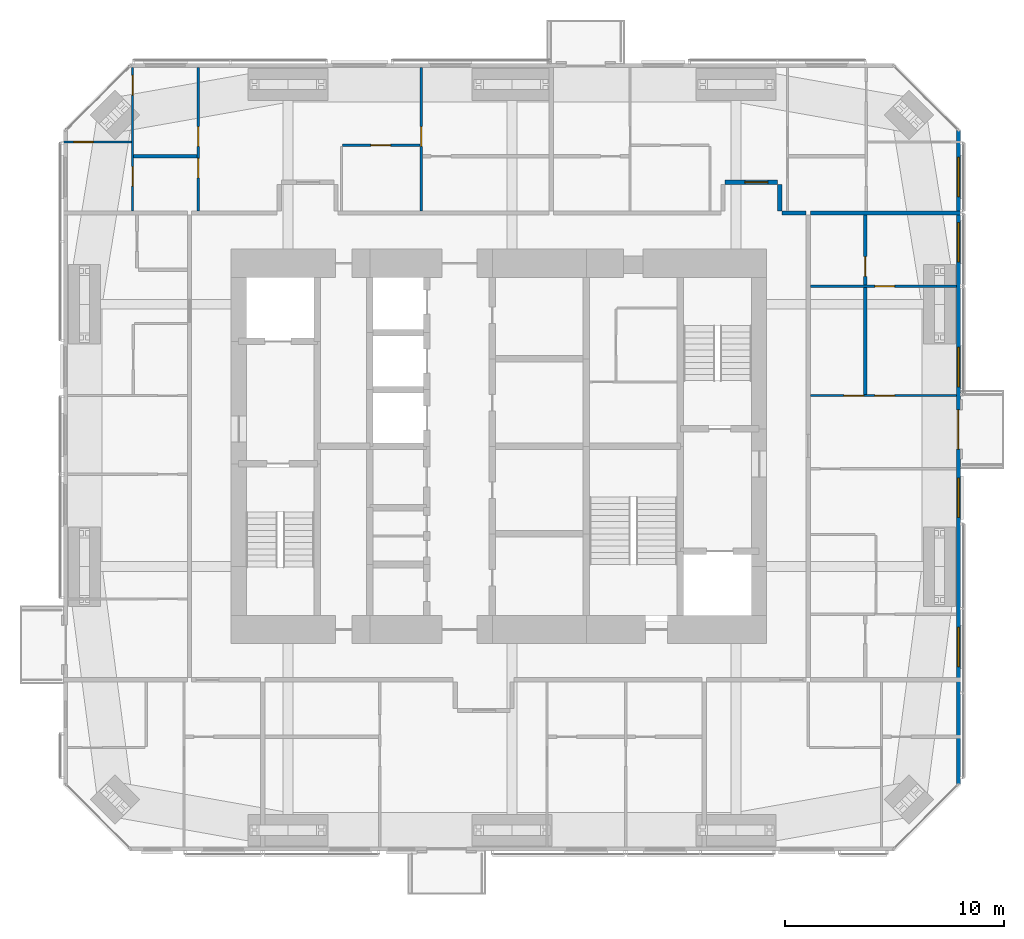
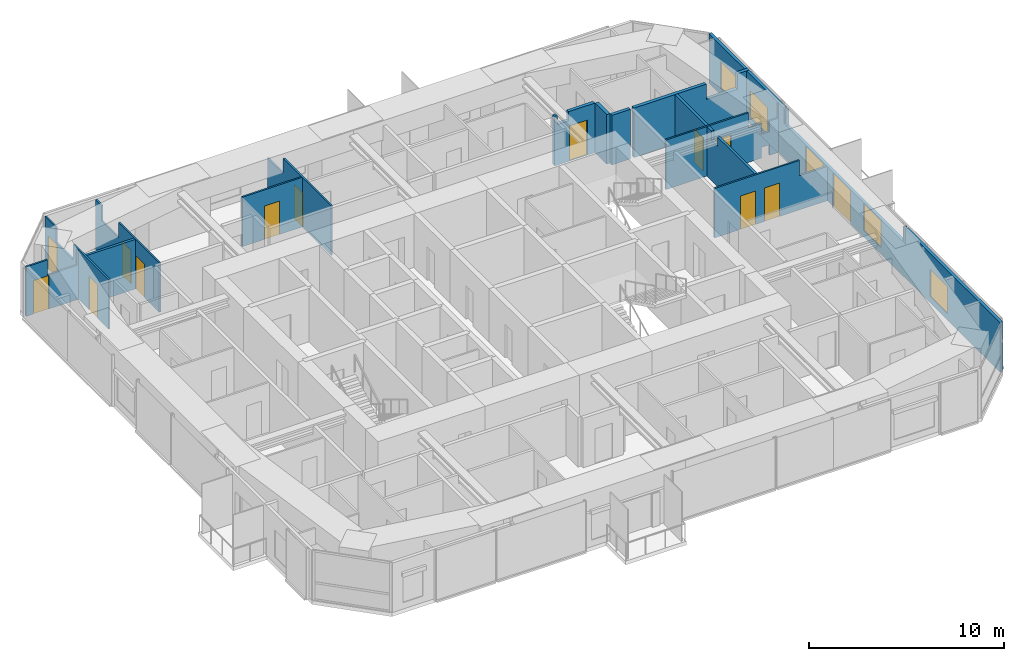
# One storey, part 20 of 23: 15 walls, 13 doors, 5 windows, 18 openings.
"""IFC4 building model written with IfcOpenShell, lengths in metres."""

import ifcopenshell
import ifcopenshell.guid

model = None  # the IFC model being written
_history = None  # IfcOwnerHistory: only IFC2X3 demands one
_inside = {}  # id of a spatial element -> (the spatial element, [elements in it])
_under = {}  # id of a project, library or spatial element -> (it, [spatial elements below it])
_declared = {}  # id of a project -> (the project, [libraries it declares])
_typed = {}  # id of a type object -> (the type object, [elements of that type])
_made_of = {}  # id of a material, layer set ... -> (it, [elements and type objects made of it])


def new_model(schema):
    """Start an empty IFC model of exactly this schema.

    Asked for "IFC4X3", IfcOpenShell would pick the latest addendum, in which some entities
    have other attributes; the version numbers below select the first issue.
    IFC2X3 requires an IfcOwnerHistory on every rooted entity: one is made here for all.
    """
    global model, _history
    if schema == "IFC4X3":
        model = ifcopenshell.file(schema_version=(4, 3, 0, 0))
    else:
        model = ifcopenshell.file(schema=schema)
    _inside.clear()
    _under.clear()
    _declared.clear()
    _typed.clear()
    _made_of.clear()
    _history = None
    if model.schema == "IFC2X3":
        org = make("IfcOrganization", Name="unknown")
        user = make(
            "IfcPersonAndOrganization",
            ThePerson=make("IfcPerson", FamilyName="unknown"),
            TheOrganization=org,
        )
        app = make(
            "IfcApplication",
            ApplicationDeveloper=org,
            Version="unknown",
            ApplicationFullName="unknown",
            ApplicationIdentifier="unknown",
        )
        _history = make(
            "IfcOwnerHistory",
            OwningUser=user,
            OwningApplication=app,
            ChangeAction="ADDED",
            CreationDate=0,
        )
    return model


def make(cls, **values):
    """One entity of the class cls with the attributes given. An attribute that is None is left unset."""
    return model.create_entity(
        cls, **{name: value for name, value in values.items() if value is not None}
    )


def rooted(cls, **values):
    """An entity with a GlobalId (a new one), such as an element, a storey or a relation."""
    return make(cls, GlobalId=ifcopenshell.guid.new(), OwnerHistory=_history, **values)


def si_unit(unit_type, name, prefix=None):
    """IfcSIUnit, for example si_unit("LENGTHUNIT", "METRE", prefix="MILLI")."""
    return make("IfcSIUnit", UnitType=unit_type, Prefix=prefix, Name=name)


def assignment(units):
    """IfcUnitAssignment: the units of a project."""
    return None if units is None else make("IfcUnitAssignment", Units=units)


def point(xyz):
    """IfcCartesianPoint."""
    return None if xyz is None else make("IfcCartesianPoint", Coordinates=xyz)


def direction(xyz):
    """IfcDirection."""
    return None if xyz is None else make("IfcDirection", DirectionRatios=xyz)


def frame(location, z_axis=None, x_axis=None):
    """IfcAxis2Placement3D, a coordinate frame: its origin and axes. An axis left out is left unset."""
    return make(
        "IfcAxis2Placement3D",
        Location=point(location),
        Axis=direction(z_axis),
        RefDirection=direction(x_axis),
    )


def frame_2d(location, x_axis=None):
    """IfcAxis2Placement2D, a coordinate frame in the plane: its origin and x axis."""
    return make(
        "IfcAxis2Placement2D", Location=point(location), RefDirection=direction(x_axis)
    )


def origin():
    """The frame at (0, 0, 0) with its axes left unset."""
    return frame((0.0, 0.0, 0.0))


def place(relative_to, where):
    """IfcLocalPlacement: puts the frame where relative to a parent placement (None: the world)."""
    return make(
        "IfcLocalPlacement", PlacementRelTo=relative_to, RelativePlacement=where
    )


def context(
    kind, dimensions, precision=None, world=None, true_north=None, identifier=None
):
    """IfcGeometricRepresentationContext, for example the 3D "Model" context."""
    return make(
        "IfcGeometricRepresentationContext",
        ContextIdentifier=identifier,
        ContextType=kind,
        CoordinateSpaceDimension=dimensions,
        Precision=precision,
        WorldCoordinateSystem=world,
        TrueNorth=true_north,
    )


def subcontext(parent, identifier, kind, view, scale=None):
    """IfcGeometricRepresentationSubContext, for example "Body" below "Model"."""
    return make(
        "IfcGeometricRepresentationSubContext",
        ContextIdentifier=identifier,
        ContextType=kind,
        ParentContext=parent,
        TargetScale=scale,
        TargetView=view,
    )


def project(units=None, contexts=None):
    """IfcProject with its units and contexts."""
    return rooted(
        "IfcProject",
        Name="project",
        RepresentationContexts=contexts,
        UnitsInContext=assignment(units),
    )


def spatial(cls, under=None, at=None, **own):
    """A site, building, storey or space (cls), placed at a placement, below another one or the project."""
    s = rooted(cls, ObjectPlacement=at, **own)
    if under is not None:
        _under.setdefault(under.id(), (under, []))[1].append(s)
    return s


def polyline(points):
    """IfcPolyline through the points."""
    return make("IfcPolyline", Points=[point(p) for p in points])


def profile(cls, at=None, kind="AREA", **sizes):
    """A parametric profile (cls). Its sizes go by their IFC names, for example OverallWidth=200.0."""
    return make(cls, ProfileType=kind, Position=at, **sizes)


def rectangle(**sizes):
    """IfcRectangleProfileDef."""
    return profile("IfcRectangleProfileDef", **sizes)


def outline(outer, holes=None, kind="AREA"):
    """IfcArbitraryClosedProfileDef: a profile drawn as a closed curve; with holes, ...WithVoids."""
    if holes is None:
        return make("IfcArbitraryClosedProfileDef", ProfileType=kind, OuterCurve=outer)
    return make(
        "IfcArbitraryProfileDefWithVoids",
        ProfileType=kind,
        OuterCurve=outer,
        InnerCurves=holes,
    )


def extrude(swept, where, along, depth):
    """IfcExtrudedAreaSolid: the profile swept, set in the frame where, extruded along a direction by depth."""
    return make(
        "IfcExtrudedAreaSolid",
        SweptArea=swept,
        Position=where,
        ExtrudedDirection=direction(along),
        Depth=depth,
    )


def shape(context_of_items, identifier, shape_type, items):
    """IfcShapeRepresentation: the items that make up one representation, for example the "Body"."""
    return make(
        "IfcShapeRepresentation",
        ContextOfItems=context_of_items,
        RepresentationIdentifier=identifier,
        RepresentationType=shape_type,
        Items=items,
    )


def material(Name=None, Category=None):
    """IfcMaterial."""
    return make("IfcMaterial", Name=Name, Category=Category)


def constituent(of_material, Name=None, Category=None, fraction=None):
    """IfcMaterialConstituent: one of the materials an element consists of."""
    return make(
        "IfcMaterialConstituent",
        Name=Name,
        Material=of_material,
        Fraction=fraction,
        Category=Category,
    )


def constituent_set(constituents=None, Name=None):
    """IfcMaterialConstituentSet."""
    return make(
        "IfcMaterialConstituentSet", Name=Name, MaterialConstituents=constituents
    )


def made_of(thing, what):
    """Note that an element or type object is made of a material, layer set ...; save() writes the relation."""
    if what is not None:
        _made_of.setdefault(what.id(), (what, []))[1].append(thing)
    return thing


def type_object(cls, material=None, **own):
    """A type object (cls), such as IfcWallType, which elements share."""
    return made_of(rooted(cls, **own), material)


def element(
    cls,
    number,
    at=None,
    inside=None,
    cuts=None,
    type_object=None,
    material=None,
    context=None,
    identifier="Body",
    shape_type=None,
    held_by="IfcProductDefinitionShape",
    body=None,
    shapes=None,
    **own,
):
    """One element of the class cls, such as IfcWall. Its Tag is "e" and its number.

    at: its placement. inside: the storey or other place that contains it. cuts: it is an
    opening in that element (IfcRelVoidsElement). A single representation is given by context,
    identifier, shape_type and body (its items); several are given by shapes. held_by: the class
    of the entity that holds the representations. save() writes the other relations.
    """
    e = rooted(cls, Tag="e%d" % number, ObjectPlacement=at, **own)
    if body is not None:
        shapes = [shape(context, identifier, shape_type, body)]
    if shapes is not None:
        e.Representation = make(held_by, Representations=shapes)
    if inside is not None:
        _inside.setdefault(inside.id(), (inside, []))[1].append(e)
    if cuts is not None:
        rooted(
            "IfcRelVoidsElement", RelatingBuildingElement=cuts, RelatedOpeningElement=e
        )
    if type_object is not None:
        _typed.setdefault(type_object.id(), (type_object, []))[1].append(e)
    return made_of(e, material)


def fill(opening, filler):
    """IfcRelFillsElement: the door or window that sits in an opening."""
    return rooted(
        "IfcRelFillsElement",
        RelatingOpeningElement=opening,
        RelatedBuildingElement=filler,
    )


def aggregate(whole, parts):
    """IfcRelAggregates: a whole, such as a stair, and the parts it consists of."""
    return rooted("IfcRelAggregates", RelatingObject=whole, RelatedObjects=parts)


def save(model, path):
    """Write the relations noted so far, then the file.

    IfcRelAggregates (storeys below a building ...), IfcRelContainedInSpatialStructure (elements
    in a storey), IfcRelDefinesByType, IfcRelAssociatesMaterial and IfcRelDeclares: one each for
    every whole, place, type object, material and project.
    """
    for whole, parts in _under.values():
        aggregate(whole, parts)
    for where, things in _inside.values():
        rooted(
            "IfcRelContainedInSpatialStructure",
            RelatedElements=things,
            RelatingStructure=where,
        )
    for kind, things in _typed.values():
        rooted("IfcRelDefinesByType", RelatedObjects=things, RelatingType=kind)
    for what, things in _made_of.values():
        rooted("IfcRelAssociatesMaterial", RelatedObjects=things, RelatingMaterial=what)
    for by, libraries in _declared.values():
        rooted("IfcRelDeclares", RelatingContext=by, RelatedDefinitions=libraries)
    model.write(path)


model = new_model("IFC4")

# Units and contexts
model_context = context("Model", 3, precision=1e-05, world=origin(), true_north=direction((0.0, 1.0)))
body_context = subcontext(model_context, "Body", "Model", "MODEL_VIEW")
ifc_project = project(units=[si_unit("LENGTHUNIT", "METRE"), si_unit("AREAUNIT", "SQUARE_METRE"), si_unit("VOLUMEUNIT", "CUBIC_METRE"), si_unit("PLANEANGLEUNIT", "RADIAN"), si_unit("MASSUNIT", "GRAM", prefix="KILO")], contexts=[model_context])

# Site, building, storey
site_placement = place(None, origin())
site = spatial("IfcSite", under=ifc_project, at=site_placement, CompositionType="ELEMENT")
building_placement = place(site_placement, origin())
building = spatial("IfcBuilding", under=site, at=building_placement, Name="Jalousie Tower", CompositionType="ELEMENT")
storey_placement = place(building_placement, frame((0.0, 0.0, 197.89990234375)))
storey = spatial("IfcBuildingStorey", under=building, at=storey_placement, Name="L54", CompositionType="ELEMENT", Elevation=197.89990234375)

# Walls
ifc_material_1 = material(Name="Concrete block ASTM C90", Category="concrete")
ifc_constituent_1 = constituent(ifc_material_1, Name="Body")
ifc_material_2 = material(Name="Render")
ifc_constituent_2 = constituent(ifc_material_2, Name="Finish")
ifc_constituent_set_1 = constituent_set(constituents=[ifc_constituent_1, ifc_constituent_2])
wall_type_1 = type_object("IfcWallType", Name="BATHROOM WALL 150", PredefinedType="PLUMBINGWALL", material=ifc_constituent_set_1)
wall_1_placement = place(storey_placement, frame((15.199951171875, 31.77490234375, 0.0), z_axis=(0.0, 0.0, 1.0), x_axis=(1.0, 0.0, 0.0)))
element("IfcWall", 1, at=wall_1_placement, inside=storey, type_object=wall_type_1, Name="Bathroom Wall 150 L54", PredefinedType="PLUMBINGWALL", context=body_context, shape_type="SweptSolid", body=[
    extrude(rectangle(XDim=2.900146484375, YDim=0.14990234375, at=frame_2d((1.4501953125, 0.0))), origin(), (0.0, 0.0, 1.0), 3.110107421875),
])
wall_2_placement = place(storey_placement, frame((48.64990234375, 20.875, 0.0), z_axis=(0.0, 0.0, 1.0), x_axis=(0.0, 1.0, 0.0)))
element("IfcWall", 2, at=wall_2_placement, inside=storey, type_object=wall_type_1, Name="Bathroom Wall 150 L54", PredefinedType="PLUMBINGWALL", context=body_context, shape_type="SweptSolid", body=[
    extrude(outline(polyline([(0.0, 0.0), (4.89990234375, 0.0), (4.89990234375, 3.110107421875), (4.4375, 3.110107421875), (4.4375, 2.541015625), (3.8125, 2.541015625), (3.8125, 3.110107421875), (0.0, 3.110107421875), (0.0, 0.0)])), frame((0.0, 0.074951171875, 0.0), z_axis=(0.0, -1.0, 0.0), x_axis=(1.0, 0.0, 0.0)), (0.0, 0.0, 1.0), 0.14990234375),
])

# Wall, opening, door
wall_3_placement = place(storey_placement, frame((48.64990234375, 25.875, 0.0), z_axis=(0.0, 0.0, 1.0), x_axis=(0.0, 1.0, 0.0)))
wall_3 = element("IfcWall", 3, at=wall_3_placement, inside=storey, type_object=wall_type_1, Name="Bathroom Wall 150 L54", PredefinedType="PLUMBINGWALL", context=body_context, shape_type="SweptSolid", body=[
    extrude(rectangle(XDim=3.199951171875, YDim=0.14990234375, at=frame_2d((1.60009765625, 0.0))), origin(), (0.0, 0.0, 1.0), 3.110107421875),
])
opening_1_placement = place(wall_3_placement, frame((0.39990234375, 0.0, 0.0)))
opening_1 = element("IfcOpeningElement", 4, at=opening_1_placement, cuts=wall_3, Name="Opening D3", PredefinedType="OPENING", context=body_context, shape_type="SweptSolid", body=[
    extrude(rectangle(XDim=0.89990234375, YDim=2.10009765625, at=frame_2d((0.449951171875, 1.050048828125))), frame((0.0, 0.0849609375, 0.0), z_axis=(0.0, -1.0, 0.0), x_axis=(1.0, 0.0, 0.0)), (0.0, 0.0, 1.0), 0.169921875),
])
ifc_material_3 = material(Name="Timber door", Category="wood")
door_type_1 = type_object("IfcDoorType", Name="BATHROOM DOOR 900", OperationType="SINGLE_SWING_LEFT", PredefinedType="DOOR", material=ifc_material_3)
door_1_placement = place(opening_1_placement, origin())
door_1 = element("IfcDoor", 5, at=door_1_placement, inside=storey, type_object=door_type_1, Name="Apartment 5407 bedroom 3 bathroom door", OperationType="SINGLE_SWING_LEFT", OverallHeight=2.10009765625, OverallWidth=0.89990234375, PredefinedType="DOOR", context=body_context, shape_type="SweptSolid", body=[
    extrude(rectangle(XDim=0.89990234375, YDim=2.10009765625, at=frame_2d((0.449951171875, 1.050048828125))), frame((0.0, 0.02490234375, 0.0), z_axis=(0.0, -1.0, 0.0), x_axis=(1.0, 0.0, 0.0)), (0.0, 0.0, 1.0), 0.050048828125),
])
fill(opening_1, door_1)

# Wall
ifc_material_4 = material(Name="Concrete block ASTM C90", Category="concrete")
ifc_constituent_3 = constituent(ifc_material_4, Name="Body")
ifc_material_5 = material(Name="Render")
ifc_constituent_4 = constituent(ifc_material_5, Name="Finish")
ifc_constituent_set_2 = constituent_set(constituents=[ifc_constituent_3, ifc_constituent_4])
wall_type_2 = type_object("IfcWallType", Name="CORRIDOR WALL 200", PredefinedType="PARTITIONING", material=ifc_constituent_set_2)
wall_4_placement = place(storey_placement, frame((44.85009765625, 29.175048828125, 0.0), z_axis=(0.0, 0.0, 1.0), x_axis=(1.0, 0.0, 0.0)))
element("IfcWall", 6, at=wall_4_placement, inside=storey, type_object=wall_type_2, Name="Corridor Wall 200 L54", PredefinedType="PARTITIONING", context=body_context, shape_type="SweptSolid", body=[
    extrude(rectangle(XDim=1.099853515625, YDim=0.199951171875, at=frame_2d((0.5498046875, 0.0))), origin(), (0.0, 0.0, 1.0), 3.110107421875),
])

# Wall, opening, door
wall_5_placement = place(storey_placement, frame((42.25, 30.574951171875, 0.0), z_axis=(0.0, 0.0, 1.0), x_axis=(1.0, 0.0, 0.0)))
wall_5 = element("IfcWall", 7, at=wall_5_placement, inside=storey, type_object=wall_type_2, Name="Corridor Wall 200 L54", PredefinedType="PARTITIONING", context=body_context, shape_type="SweptSolid", body=[
    extrude(outline(polyline([(0.0, 0.0), (2.39990234375, 0.0), (2.39990234375, 3.110107421875), (0.83740234375, 3.110107421875), (0.83740234375, 2.541015625), (0.16259765625, 2.541015625), (0.16259765625, 3.110107421875), (0.0, 3.110107421875), (0.0, 0.0)])), frame((0.0, 0.10009765625, 0.0), z_axis=(0.0, -1.0, 0.0), x_axis=(1.0, 0.0, 0.0)), (0.0, 0.0, 1.0), 0.199951171875),
])
opening_2_placement = place(wall_5_placement, frame((0.89990234375, 0.0, 0.0)))
opening_2 = element("IfcOpeningElement", 8, at=opening_2_placement, cuts=wall_5, Name="Opening D1", PredefinedType="OPENING", context=body_context, shape_type="SweptSolid", body=[
    extrude(rectangle(XDim=1.050048828125, YDim=2.199951171875, at=frame_2d((0.52490234375, 1.10009765625))), frame((0.0, 0.10986328125, 0.0), z_axis=(0.0, -1.0, 0.0), x_axis=(1.0, 0.0, 0.0)), (0.0, 0.0, 1.0), 0.219970703125),
])
ifc_material_6 = material(Name="Timber fire door", Category="wood")
door_type_2 = type_object("IfcDoorType", Name="APARTMENT ENTRANCE DOOR 1050", OperationType="SINGLE_SWING_LEFT", PredefinedType="DOOR", material=ifc_material_6)
door_2_placement = place(opening_2_placement, origin())
door_2 = element("IfcDoor", 9, at=door_2_placement, inside=storey, type_object=door_type_2, Name="Apartment 5405 entrance", OperationType="SINGLE_SWING_RIGHT", OverallHeight=2.199951171875, OverallWidth=1.050048828125, PredefinedType="DOOR", context=body_context, shape_type="SweptSolid", body=[
    extrude(rectangle(XDim=1.050048828125, YDim=2.199951171875, at=frame_2d((0.52490234375, 1.10009765625))), frame((0.0, 0.02490234375, 0.0), z_axis=(0.0, -1.0, 0.0), x_axis=(1.0, 0.0, 0.0)), (0.0, 0.0, 1.0), 0.050048828125),
])
fill(opening_2, door_2)

# Wall
wall_6_placement = place(storey_placement, frame((44.75, 29.27490234375, 0.0), z_axis=(0.0, 0.0, 1.0), x_axis=(0.0, 1.0, 0.0)))
element("IfcWall", 10, at=wall_6_placement, inside=storey, type_object=wall_type_2, Name="Corridor Wall 200 L54", PredefinedType="PARTITIONING", context=body_context, shape_type="SweptSolid", body=[
    extrude(rectangle(XDim=1.2001953125, YDim=0.199951171875, at=frame_2d((0.60009765625, 0.0))), origin(), (0.0, 0.0, 1.0), 3.110107421875),
])

# Wall, openings, door, windows
ifc_material_7 = material(Name="Concrete f'c 40 MPa", Category="concrete")
ifc_constituent_5 = constituent(ifc_material_7, Name="Body")
ifc_material_8 = material(Name="Render, pastel lemon")
ifc_constituent_6 = constituent(ifc_material_8, Name="Finish")
ifc_constituent_set_3 = constituent_set(constituents=[ifc_constituent_5, ifc_constituent_6])
wall_type_3 = type_object("IfcWallType", Name="EXTERNAL WALL 175 LEMON RENDER", PredefinedType="SOLIDWALL", material=ifc_constituent_set_3)
wall_7_placement = place(storey_placement, frame((52.91259765625, 3.05126953125, 0.0), z_axis=(0.0, 0.0, 1.0), x_axis=(0.0, 1.0, 0.0)))
wall_7 = element("IfcWall", 11, at=wall_7_placement, inside=storey, type_object=wall_type_3, Name="External Wall 175 Lemon Render L54", PredefinedType="SOLIDWALL", context=body_context, shape_type="SweptSolid", body=[
    extrude(outline(polyline([(0.0, 0.0), (29.8974609375, 0.0), (29.8974609375, 3.110107421875), (22.16748046875, 3.110107421875), (22.16748046875, 2.150146484375), (22.073974609375, 2.150146484375), (22.073974609375, 3.110107421875), (21.94873046875, 3.110107421875), (21.94873046875, 2.150146484375), (9.94873046875, 2.150146484375), (9.94873046875, 3.110107421875), (9.846923828125, 3.110107421875), (9.846923828125, 2.150146484375), (9.7060546875, 2.150146484375), (9.7060546875, 3.110107421875), (0.0, 3.110107421875), (0.0, 0.0)])), frame((0.0, 0.08740234375, 0.0), z_axis=(0.0, -1.0, 0.0), x_axis=(1.0, 0.0, 0.0)), (0.0, 0.0, 1.0), 0.175048828125),
])
opening_3_placement = place(wall_7_placement, frame((5.373779296875, 0.0, 0.39990234375)))
opening_3 = element("IfcOpeningElement", 12, at=opening_3_placement, cuts=wall_7, Name="Opening W-BED170", PredefinedType="OPENING", context=body_context, shape_type="SweptSolid", body=[
    extrude(rectangle(XDim=1.800048828125, YDim=1.699951171875, at=frame_2d((0.89990234375, 0.85009765625))), frame((0.0, 0.097412109375, 0.0), z_axis=(0.0, -1.0, 0.0), x_axis=(1.0, 0.0, 0.0)), (0.0, 0.0, 1.0), 0.195068359375),
])
opening_4_placement = place(wall_7_placement, frame((12.19873046875, 0.0, 0.39990234375)))
opening_4 = element("IfcOpeningElement", 13, at=opening_4_placement, cuts=wall_7, Name="Opening W-BED170", PredefinedType="OPENING", context=body_context, shape_type="SweptSolid", body=[
    extrude(rectangle(XDim=1.800048828125, YDim=1.699951171875, at=frame_2d((0.89990234375, 0.85009765625))), frame((0.0, 0.097412109375, 0.0), z_axis=(0.0, -1.0, 0.0), x_axis=(1.0, 0.0, 0.0)), (0.0, 0.0, 1.0), 0.195068359375),
])
opening_5_placement = place(wall_7_placement, frame((15.32373046875, 0.0, 0.0)))
opening_5 = element("IfcOpeningElement", 14, at=opening_5_placement, cuts=wall_7, Name="Opening D-BAL21", PredefinedType="OPENING", context=body_context, shape_type="SweptSolid", body=[
    extrude(rectangle(XDim=1.800048828125, YDim=2.10009765625, at=frame_2d((0.89990234375, 1.050048828125))), frame((0.0, 0.097412109375, 0.0), z_axis=(0.0, -1.0, 0.0), x_axis=(1.0, 0.0, 0.0)), (0.0, 0.0, 1.0), 0.195068359375),
])
opening_6_placement = place(wall_7_placement, frame((18.173583984375, 0.0, 0.39990234375)))
opening_6 = element("IfcOpeningElement", 15, at=opening_6_placement, cuts=wall_7, Name="Opening W-BED170", PredefinedType="OPENING", context=body_context, shape_type="SweptSolid", body=[
    extrude(rectangle(XDim=1.800048828125, YDim=1.699951171875, at=frame_2d((0.89990234375, 0.85009765625))), frame((0.0, 0.097412109375, 0.0), z_axis=(0.0, -1.0, 0.0), x_axis=(1.0, 0.0, 0.0)), (0.0, 0.0, 1.0), 0.195068359375),
])
opening_7_placement = place(wall_7_placement, frame((23.88623046875, 0.0, 0.39990234375)))
opening_7 = element("IfcOpeningElement", 16, at=opening_7_placement, cuts=wall_7, Name="Opening W-BED170", PredefinedType="OPENING", context=body_context, shape_type="SweptSolid", body=[
    extrude(rectangle(XDim=1.800048828125, YDim=1.699951171875, at=frame_2d((0.89990234375, 0.85009765625))), frame((0.0, 0.097412109375, 0.0), z_axis=(0.0, -1.0, 0.0), x_axis=(1.0, 0.0, 0.0)), (0.0, 0.0, 1.0), 0.195068359375),
])
opening_8_placement = place(wall_7_placement, frame((26.871337890625, 0.0, 0.39990234375)))
opening_8 = element("IfcOpeningElement", 17, at=opening_8_placement, cuts=wall_7, Name="Opening W-BED170", PredefinedType="OPENING", context=body_context, shape_type="SweptSolid", body=[
    extrude(rectangle(XDim=1.800048828125, YDim=1.699951171875, at=frame_2d((0.89990234375, 0.85009765625))), frame((0.0, 0.097412109375, 0.0), z_axis=(0.0, -1.0, 0.0), x_axis=(1.0, 0.0, 0.0)), (0.0, 0.0, 1.0), 0.195068359375),
])
ifc_material_9 = material(Name="Aluminium frame, impact-rated glazing", Category="aluminium")
door_type_3 = type_object("IfcDoorType", Name="BALCONY DOOR 1800x2100", OperationType="SLIDING_TO_LEFT", PredefinedType="DOOR", material=ifc_material_9)
door_3_placement = place(opening_5_placement, origin())
door_3 = element("IfcDoor", 18, at=door_3_placement, inside=storey, type_object=door_type_3, Name="Apartment 5407 study balcony door", OperationType="SLIDING_TO_LEFT", OverallHeight=2.10009765625, OverallWidth=1.800048828125, PredefinedType="DOOR", context=body_context, shape_type="SweptSolid", body=[
    extrude(rectangle(XDim=1.800048828125, YDim=2.10009765625, at=frame_2d((0.89990234375, 1.050048828125))), frame((0.0, 0.02490234375, 0.0), z_axis=(0.0, -1.0, 0.0), x_axis=(1.0, 0.0, 0.0)), (0.0, 0.0, 1.0), 0.050048828125),
])
fill(opening_5, door_3)
ifc_material_10 = material(Name="Aluminium frame, impact-rated glazing", Category="aluminium")
window_type = type_object("IfcWindowType", Name="WINDOW BED 1800x1700", PartitioningType="SINGLE_PANEL", PredefinedType="WINDOW", material=ifc_material_10)
window_1_placement = place(opening_3_placement, origin())
window_1 = element("IfcWindow", 19, at=window_1_placement, inside=storey, type_object=window_type, Name="Apartment 5407 bedroom 1 window", OverallHeight=1.699951171875, OverallWidth=1.800048828125, PartitioningType="SINGLE_PANEL", PredefinedType="WINDOW", context=body_context, shape_type="SweptSolid", body=[
    extrude(rectangle(XDim=1.800048828125, YDim=1.699951171875, at=frame_2d((0.89990234375, 0.85009765625))), frame((0.0, 0.030029296875, 0.0), z_axis=(0.0, -1.0, 0.0), x_axis=(1.0, 0.0, 0.0)), (0.0, 0.0, 1.0), 0.06005859375),
])
fill(opening_3, window_1)
window_2_placement = place(opening_4_placement, origin())
window_2 = element("IfcWindow", 20, at=window_2_placement, inside=storey, type_object=window_type, Name="Apartment 5407 living and dining room window", OverallHeight=1.699951171875, OverallWidth=1.800048828125, PartitioningType="SINGLE_PANEL", PredefinedType="WINDOW", context=body_context, shape_type="SweptSolid", body=[
    extrude(rectangle(XDim=1.800048828125, YDim=1.699951171875, at=frame_2d((0.89990234375, 0.85009765625))), frame((0.0, 0.030029296875, 0.0), z_axis=(0.0, -1.0, 0.0), x_axis=(1.0, 0.0, 0.0)), (0.0, 0.0, 1.0), 0.06005859375),
])
fill(opening_4, window_2)
window_3_placement = place(opening_6_placement, origin())
window_3 = element("IfcWindow", 21, at=window_3_placement, inside=storey, type_object=window_type, Name="Apartment 5407 bedroom 2 window", OverallHeight=1.699951171875, OverallWidth=1.800048828125, PartitioningType="SINGLE_PANEL", PredefinedType="WINDOW", context=body_context, shape_type="SweptSolid", body=[
    extrude(rectangle(XDim=1.800048828125, YDim=1.699951171875, at=frame_2d((0.89990234375, 0.85009765625))), frame((0.0, 0.030029296875, 0.0), z_axis=(0.0, -1.0, 0.0), x_axis=(1.0, 0.0, 0.0)), (0.0, 0.0, 1.0), 0.06005859375),
])
fill(opening_6, window_3)
window_4_placement = place(opening_7_placement, origin())
window_4 = element("IfcWindow", 22, at=window_4_placement, inside=storey, type_object=window_type, Name="Apartment 5407 bedroom 3 window", OverallHeight=1.699951171875, OverallWidth=1.800048828125, PartitioningType="SINGLE_PANEL", PredefinedType="WINDOW", context=body_context, shape_type="SweptSolid", body=[
    extrude(rectangle(XDim=1.800048828125, YDim=1.699951171875, at=frame_2d((0.89990234375, 0.85009765625))), frame((0.0, 0.030029296875, 0.0), z_axis=(0.0, -1.0, 0.0), x_axis=(1.0, 0.0, 0.0)), (0.0, 0.0, 1.0), 0.06005859375),
])
fill(opening_7, window_4)
window_5_placement = place(opening_8_placement, origin())
window_5 = element("IfcWindow", 23, at=window_5_placement, inside=storey, type_object=window_type, Name="Apartment 5405 bedroom 3 window", OverallHeight=1.699951171875, OverallWidth=1.800048828125, PartitioningType="SINGLE_PANEL", PredefinedType="WINDOW", context=body_context, shape_type="SweptSolid", body=[
    extrude(rectangle(XDim=1.800048828125, YDim=1.699951171875, at=frame_2d((0.89990234375, 0.85009765625))), frame((0.0, 0.030029296875, 0.0), z_axis=(0.0, -1.0, 0.0), x_axis=(1.0, 0.0, 0.0)), (0.0, 0.0, 1.0), 0.06005859375),
])
fill(opening_8, window_5)

# Wall, openings, doors
ifc_material_11 = material(Name="Gypsum board", Category="gypsum")
ifc_constituent_7 = constituent(ifc_material_11, Name="Body")
ifc_material_12 = material(Name="Light-gauge steel studs ASTM A653 SS Grade 33", Category="steel")
ifc_constituent_8 = constituent(ifc_material_12, Name="Framing")
ifc_constituent_set_4 = constituent_set(constituents=[ifc_constituent_7, ifc_constituent_8])
wall_type_4 = type_object("IfcWallType", Name="PARTITION 100", PredefinedType="PARTITIONING", material=ifc_constituent_set_4)
wall_8_placement = place(storey_placement, frame((15.14990234375, 35.824951171875, 0.0), z_axis=(0.0, 0.0, 1.0), x_axis=(0.0, -1.0, 0.0)))
wall_8 = element("IfcWall", 24, at=wall_8_placement, inside=storey, type_object=wall_type_4, Name="Partition 100 L54", PredefinedType="PARTITIONING", context=body_context, shape_type="SweptSolid", body=[
    extrude(outline(polyline([(0.0, 0.0), (6.550048828125, 0.0), (6.550048828125, 3.110107421875), (2.905029296875, 3.110107421875), (2.905029296875, 2.150146484375), (1.158203125, 2.150146484375), (1.158203125, 3.110107421875), (0.0, 3.110107421875), (0.0, 0.0)])), frame((0.0, 0.050048828125, 0.0), z_axis=(0.0, -1.0, 0.0), x_axis=(1.0, 0.0, 0.0)), (0.0, 0.0, 1.0), 0.10009765625),
])
opening_9_placement = place(wall_8_placement, frame((0.35498046875, 0.0, 0.0)))
opening_9 = element("IfcOpeningElement", 25, at=opening_9_placement, cuts=wall_8, Name="Opening D2", PredefinedType="OPENING", context=body_context, shape_type="SweptSolid", body=[
    extrude(rectangle(XDim=0.89990234375, YDim=2.10009765625, at=frame_2d((0.449951171875, 1.050048828125))), frame((0.0, 0.06005859375, 0.0), z_axis=(0.0, -1.0, 0.0), x_axis=(1.0, 0.0, 0.0)), (0.0, 0.0, 1.0), 0.1201171875),
])
opening_10_placement = place(wall_8_placement, frame((4.52734375, 0.0, 0.0)))
opening_10 = element("IfcOpeningElement", 26, at=opening_10_placement, cuts=wall_8, Name="Opening D3", PredefinedType="OPENING", context=body_context, shape_type="SweptSolid", body=[
    extrude(rectangle(XDim=0.89990234375, YDim=2.10009765625, at=frame_2d((0.449951171875, 1.050048828125))), frame((0.0, 0.06005859375, 0.0), z_axis=(0.0, -1.0, 0.0), x_axis=(1.0, 0.0, 0.0)), (0.0, 0.0, 1.0), 0.1201171875),
])
door_4_placement = place(opening_10_placement, origin())
door_4 = element("IfcDoor", 27, at=door_4_placement, inside=storey, type_object=door_type_1, Name="Apartment 5404 bedroom 1 bathroom door", OperationType="SINGLE_SWING_LEFT", OverallHeight=2.10009765625, OverallWidth=0.89990234375, PredefinedType="DOOR", context=body_context, shape_type="SweptSolid", body=[
    extrude(rectangle(XDim=0.89990234375, YDim=2.10009765625, at=frame_2d((0.449951171875, 1.050048828125))), frame((0.0, 0.02490234375, 0.0), z_axis=(0.0, -1.0, 0.0), x_axis=(1.0, 0.0, 0.0)), (0.0, 0.0, 1.0), 0.050048828125),
])
fill(opening_10, door_4)
ifc_material_13 = material(Name="Timber door", Category="wood")
door_type_4 = type_object("IfcDoorType", Name="BEDROOM DOOR 900", OperationType="SINGLE_SWING_LEFT", PredefinedType="DOOR", material=ifc_material_13)
door_5_placement = place(opening_9_placement, origin())
door_5 = element("IfcDoor", 28, at=door_5_placement, inside=storey, type_object=door_type_4, Name="Apartment 5404 bedroom 1 door", OperationType="SINGLE_SWING_LEFT", OverallHeight=2.10009765625, OverallWidth=0.89990234375, PredefinedType="DOOR", context=body_context, shape_type="SweptSolid", body=[
    extrude(rectangle(XDim=0.89990234375, YDim=2.10009765625, at=frame_2d((0.449951171875, 1.050048828125))), frame((0.0, 0.02490234375, 0.0), z_axis=(0.0, -1.0, 0.0), x_axis=(1.0, 0.0, 0.0)), (0.0, 0.0, 1.0), 0.050048828125),
])
fill(opening_9, door_5)

wall_9_placement = place(storey_placement, frame((18.14990234375, 35.824951171875, 0.0), z_axis=(0.0, 0.0, 1.0), x_axis=(0.0, -1.0, 0.0)))
wall_9 = element("IfcWall", 29, at=wall_9_placement, inside=storey, type_object=wall_type_4, Name="Partition 100 L54", PredefinedType="PARTITIONING", context=body_context, shape_type="SweptSolid", body=[
    extrude(outline(polyline([(0.0, 0.0), (6.550048828125, 0.0), (6.550048828125, 3.110107421875), (2.3740234375, 3.110107421875), (2.3740234375, 2.150146484375), (0.627197265625, 2.150146484375), (0.627197265625, 3.110107421875), (0.0, 3.110107421875), (0.0, 0.0)])), frame((0.0, 0.050048828125, 0.0), z_axis=(0.0, -1.0, 0.0), x_axis=(1.0, 0.0, 0.0)), (0.0, 0.0, 1.0), 0.10009765625),
])
opening_11_placement = place(wall_9_placement, frame((2.699951171875, 0.0, 0.0)))
opening_11 = element("IfcOpeningElement", 30, at=opening_11_placement, cuts=wall_9, Name="Opening D2", PredefinedType="OPENING", context=body_context, shape_type="SweptSolid", body=[
    extrude(rectangle(XDim=0.89990234375, YDim=2.10009765625, at=frame_2d((0.449951171875, 1.050048828125))), frame((0.0, 0.06005859375, 0.0), z_axis=(0.0, -1.0, 0.0), x_axis=(1.0, 0.0, 0.0)), (0.0, 0.0, 1.0), 0.1201171875),
])
opening_12_placement = place(wall_9_placement, frame((4.14990234375, 0.0, 0.0)))
opening_12 = element("IfcOpeningElement", 31, at=opening_12_placement, cuts=wall_9, Name="Opening D7", PredefinedType="OPENING", context=body_context, shape_type="SweptSolid", body=[
    extrude(rectangle(XDim=0.89990234375, YDim=2.10009765625, at=frame_2d((0.449951171875, 1.050048828125))), frame((0.0, 0.06005859375, 0.0), z_axis=(0.0, -1.0, 0.0), x_axis=(1.0, 0.0, 0.0)), (0.0, 0.0, 1.0), 0.1201171875),
])
door_6_placement = place(opening_11_placement, frame((0.89990234375, 0.0, 0.0), z_axis=(0.0, 0.0, 1.0), x_axis=(-1.0, 0.0, 0.0)))
door_6 = element("IfcDoor", 32, at=door_6_placement, inside=storey, type_object=door_type_4, Name="Apartment 5404 bedroom 2 door", OperationType="SINGLE_SWING_LEFT", OverallHeight=2.10009765625, OverallWidth=0.89990234375, PredefinedType="DOOR", context=body_context, shape_type="SweptSolid", body=[
    extrude(rectangle(XDim=0.89990234375, YDim=2.10009765625, at=frame_2d((0.449951171875, 1.050048828125))), frame((0.0, 0.02490234375, 0.0), z_axis=(0.0, -1.0, 0.0), x_axis=(1.0, 0.0, 0.0)), (0.0, 0.0, 1.0), 0.050048828125),
])
fill(opening_11, door_6)
ifc_material_14 = material(Name="Timber door", Category="wood")
door_type_5 = type_object("IfcDoorType", Name="INTERNAL DOOR 900", OperationType="SINGLE_SWING_LEFT", PredefinedType="DOOR", material=ifc_material_14)
door_7_placement = place(opening_12_placement, frame((0.89990234375, 0.0, 0.0), z_axis=(0.0, 0.0, 1.0), x_axis=(-1.0, 0.0, 0.0)))
door_7 = element("IfcDoor", 33, at=door_7_placement, inside=storey, type_object=door_type_5, Name="Apartment 5404 bathroom door", OperationType="SINGLE_SWING_RIGHT", OverallHeight=2.10009765625, OverallWidth=0.89990234375, PredefinedType="DOOR", context=body_context, shape_type="SweptSolid", body=[
    extrude(rectangle(XDim=0.89990234375, YDim=2.10009765625, at=frame_2d((0.449951171875, 1.050048828125))), frame((0.0, 0.02490234375, 0.0), z_axis=(0.0, -1.0, 0.0), x_axis=(1.0, 0.0, 0.0)), (0.0, 0.0, 1.0), 0.050048828125),
])
fill(opening_12, door_7)

# Wall, opening, door
wall_10_placement = place(storey_placement, frame((28.35009765625, 35.824951171875, 0.0), z_axis=(0.0, 0.0, 1.0), x_axis=(0.0, -1.0, 0.0)))
wall_10 = element("IfcWall", 34, at=wall_10_placement, inside=storey, type_object=wall_type_4, Name="Partition 100 L54", PredefinedType="PARTITIONING", context=body_context, shape_type="SweptSolid", body=[
    extrude(outline(polyline([(0.0, 0.0), (6.550048828125, 0.0), (6.550048828125, 3.110107421875), (1.635009765625, 3.110107421875), (1.635009765625, 2.150146484375), (0.0, 2.150146484375), (0.0, 3.110107421875), (0.0, 0.0)])), frame((0.0, 0.050048828125, 0.0), z_axis=(0.0, -1.0, 0.0), x_axis=(1.0, 0.0, 0.0)), (0.0, 0.0, 1.0), 0.10009765625),
])
opening_13_placement = place(wall_10_placement, frame((2.699951171875, 0.0, 0.0)))
opening_13 = element("IfcOpeningElement", 35, at=opening_13_placement, cuts=wall_10, Name="Opening D2", PredefinedType="OPENING", context=body_context, shape_type="SweptSolid", body=[
    extrude(rectangle(XDim=0.89990234375, YDim=2.10009765625, at=frame_2d((0.449951171875, 1.050048828125))), frame((0.0, 0.06005859375, 0.0), z_axis=(0.0, -1.0, 0.0), x_axis=(1.0, 0.0, 0.0)), (0.0, 0.0, 1.0), 0.1201171875),
])
door_8_placement = place(opening_13_placement, origin())
door_8 = element("IfcDoor", 36, at=door_8_placement, inside=storey, type_object=door_type_4, Name="Apartment 5404 bedroom 3 door", OperationType="SINGLE_SWING_RIGHT", OverallHeight=2.10009765625, OverallWidth=0.89990234375, PredefinedType="DOOR", context=body_context, shape_type="SweptSolid", body=[
    extrude(rectangle(XDim=0.89990234375, YDim=2.10009765625, at=frame_2d((0.449951171875, 1.050048828125))), frame((0.0, 0.02490234375, 0.0), z_axis=(0.0, -1.0, 0.0), x_axis=(1.0, 0.0, 0.0)), (0.0, 0.0, 1.0), 0.050048828125),
])
fill(opening_13, door_8)

wall_11_placement = place(storey_placement, frame((12.0, 32.420166015625, 0.0), z_axis=(0.0, 0.0, 1.0), x_axis=(1.0, 0.0, 0.0)))
wall_11 = element("IfcWall", 37, at=wall_11_placement, inside=storey, type_object=wall_type_4, Name="Partition 100 L54", PredefinedType="PARTITIONING", context=body_context, shape_type="SweptSolid", body=[
    extrude(outline(polyline([(0.0, 0.0), (3.10009765625, 0.0), (3.10009765625, 3.110107421875), (3.0205078125, 3.110107421875), (3.0205078125, 2.150146484375), (1.2783203125, 2.150146484375), (1.2783203125, 3.110107421875), (0.0, 3.110107421875), (0.0, 0.0)])), frame((0.0, 0.050048828125, 0.0), z_axis=(0.0, -1.0, 0.0), x_axis=(1.0, 0.0, 0.0)), (0.0, 0.0, 1.0), 0.10009765625),
])
opening_14_placement = place(wall_11_placement, frame((0.449951171875, 0.0, 0.0)))
opening_14 = element("IfcOpeningElement", 38, at=opening_14_placement, cuts=wall_11, Name="Opening D7", PredefinedType="OPENING", context=body_context, shape_type="SweptSolid", body=[
    extrude(rectangle(XDim=0.89990234375, YDim=2.10009765625, at=frame_2d((0.449951171875, 1.050048828125))), frame((0.0, 0.06005859375, 0.0), z_axis=(0.0, -1.0, 0.0), x_axis=(1.0, 0.0, 0.0)), (0.0, 0.0, 1.0), 0.1201171875),
])
door_9_placement = place(opening_14_placement, frame((0.89990234375, 0.0, 0.0), z_axis=(0.0, 0.0, 1.0), x_axis=(-1.0, 0.0, 0.0)))
door_9 = element("IfcDoor", 39, at=door_9_placement, inside=storey, type_object=door_type_5, Name="Apartment 5404 bedroom 1 dressing hall door", OperationType="SINGLE_SWING_RIGHT", OverallHeight=2.10009765625, OverallWidth=0.89990234375, PredefinedType="DOOR", context=body_context, shape_type="SweptSolid", body=[
    extrude(rectangle(XDim=0.89990234375, YDim=2.10009765625, at=frame_2d((0.449951171875, 1.050048828125))), frame((0.0, 0.02490234375, 0.0), z_axis=(0.0, -1.0, 0.0), x_axis=(1.0, 0.0, 0.0)), (0.0, 0.0, 1.0), 0.050048828125),
])
fill(opening_14, door_9)

wall_12_placement = place(storey_placement, frame((24.75, 32.27490234375, 0.0), z_axis=(0.0, 0.0, 1.0), x_axis=(1.0, 0.0, 0.0)))
wall_12 = element("IfcWall", 40, at=wall_12_placement, inside=storey, type_object=wall_type_4, Name="Partition 100 L54", PredefinedType="PARTITIONING", context=body_context, shape_type="SweptSolid", body=[
    extrude(rectangle(XDim=3.550048828125, YDim=0.10009765625, at=frame_2d((1.77490234375, 0.0))), origin(), (0.0, 0.0, 1.0), 3.110107421875),
])
opening_15_placement = place(wall_12_placement, frame((1.300048828125, 0.0, 0.0)))
opening_15 = element("IfcOpeningElement", 41, at=opening_15_placement, cuts=wall_12, Name="Opening D7", PredefinedType="OPENING", context=body_context, shape_type="SweptSolid", body=[
    extrude(rectangle(XDim=0.89990234375, YDim=2.10009765625, at=frame_2d((0.449951171875, 1.050048828125))), frame((0.0, 0.06005859375, 0.0), z_axis=(0.0, -1.0, 0.0), x_axis=(1.0, 0.0, 0.0)), (0.0, 0.0, 1.0), 0.1201171875),
])
door_10_placement = place(opening_15_placement, origin())
door_10 = element("IfcDoor", 42, at=door_10_placement, inside=storey, type_object=door_type_5, Name="Apartment 5404 kitchen door", OperationType="SINGLE_SWING_RIGHT", OverallHeight=2.10009765625, OverallWidth=0.89990234375, PredefinedType="DOOR", context=body_context, shape_type="SweptSolid", body=[
    extrude(rectangle(XDim=0.89990234375, YDim=2.10009765625, at=frame_2d((0.449951171875, 1.050048828125))), frame((0.0, 0.02490234375, 0.0), z_axis=(0.0, -1.0, 0.0), x_axis=(1.0, 0.0, 0.0)), (0.0, 0.0, 1.0), 0.050048828125),
])
fill(opening_15, door_10)

# Wall, openings, doors
wall_13_placement = place(storey_placement, frame((52.824951171875, 20.824951171875, 0.0), z_axis=(0.0, 0.0, 1.0), x_axis=(-1.0, 0.0, 0.0)))
wall_13 = element("IfcWall", 43, at=wall_13_placement, inside=storey, type_object=wall_type_4, Name="Partition 100 L54", PredefinedType="PARTITIONING", context=body_context, shape_type="SweptSolid", body=[
    extrude(outline(polyline([(0.0, 0.0), (6.675048828125, 0.0), (6.675048828125, 3.110107421875), (1.635009765625, 3.110107421875), (1.635009765625, 2.150146484375), (0.0, 2.150146484375), (0.0, 3.110107421875), (0.0, 0.0)])), frame((0.0, 0.050048828125, 0.0), z_axis=(0.0, -1.0, 0.0), x_axis=(1.0, 0.0, 0.0)), (0.0, 0.0, 1.0), 0.10009765625),
])
opening_16_placement = place(wall_13_placement, frame((2.824951171875, 0.0, 0.0)))
opening_16 = element("IfcOpeningElement", 44, at=opening_16_placement, cuts=wall_13, Name="Opening D2", PredefinedType="OPENING", context=body_context, shape_type="SweptSolid", body=[
    extrude(rectangle(XDim=0.89990234375, YDim=2.10009765625, at=frame_2d((0.449951171875, 1.050048828125))), frame((0.0, 0.06005859375, 0.0), z_axis=(0.0, -1.0, 0.0), x_axis=(1.0, 0.0, 0.0)), (0.0, 0.0, 1.0), 0.1201171875),
])
opening_17_placement = place(wall_13_placement, frame((4.25, 0.0, 0.0)))
opening_17 = element("IfcOpeningElement", 45, at=opening_17_placement, cuts=wall_13, Name="Opening D7", PredefinedType="OPENING", context=body_context, shape_type="SweptSolid", body=[
    extrude(rectangle(XDim=0.89990234375, YDim=2.10009765625, at=frame_2d((0.449951171875, 1.050048828125))), frame((0.0, 0.06005859375, 0.0), z_axis=(0.0, -1.0, 0.0), x_axis=(1.0, 0.0, 0.0)), (0.0, 0.0, 1.0), 0.1201171875),
])
door_11_placement = place(opening_16_placement, frame((0.89990234375, 0.0, 0.0), z_axis=(0.0, 0.0, 1.0), x_axis=(-1.0, 0.0, 0.0)))
door_11 = element("IfcDoor", 46, at=door_11_placement, inside=storey, type_object=door_type_4, Name="Apartment 5407 bedroom 2 door", OperationType="SINGLE_SWING_LEFT", OverallHeight=2.10009765625, OverallWidth=0.89990234375, PredefinedType="DOOR", context=body_context, shape_type="SweptSolid", body=[
    extrude(rectangle(XDim=0.89990234375, YDim=2.10009765625, at=frame_2d((0.449951171875, 1.050048828125))), frame((0.0, 0.02490234375, 0.0), z_axis=(0.0, -1.0, 0.0), x_axis=(1.0, 0.0, 0.0)), (0.0, 0.0, 1.0), 0.050048828125),
])
fill(opening_16, door_11)
door_12_placement = place(opening_17_placement, frame((0.89990234375, 0.0, 0.0), z_axis=(0.0, 0.0, 1.0), x_axis=(-1.0, 0.0, 0.0)))
door_12 = element("IfcDoor", 47, at=door_12_placement, inside=storey, type_object=door_type_5, Name="Apartment 5407 bathroom door", OperationType="SINGLE_SWING_RIGHT", OverallHeight=2.10009765625, OverallWidth=0.89990234375, PredefinedType="DOOR", context=body_context, shape_type="SweptSolid", body=[
    extrude(rectangle(XDim=0.89990234375, YDim=2.10009765625, at=frame_2d((0.449951171875, 1.050048828125))), frame((0.0, 0.02490234375, 0.0), z_axis=(0.0, -1.0, 0.0), x_axis=(1.0, 0.0, 0.0)), (0.0, 0.0, 1.0), 0.050048828125),
])
fill(opening_17, door_12)

# Wall, opening, door
wall_14_placement = place(storey_placement, frame((52.824951171875, 25.824951171875, 0.0), z_axis=(0.0, 0.0, 1.0), x_axis=(-1.0, 0.0, 0.0)))
wall_14 = element("IfcWall", 48, at=wall_14_placement, inside=storey, type_object=wall_type_4, Name="Partition 100 L54", PredefinedType="PARTITIONING", context=body_context, shape_type="SweptSolid", body=[
    extrude(outline(polyline([(0.037109375, 3.110107421875), (0.0, 3.110107421875), (0.0, 0.0), (0.52880859375, 0.0), (0.52880859375, 0.6640625), (1.021240234375, 0.6640625), (1.021240234375, 0.0), (6.675048828125, 0.0), (6.675048828125, 3.110107421875), (1.779541015625, 3.110107421875), (1.779541015625, 2.150146484375), (1.021240234375, 2.150146484375), (1.021240234375, 1.486083984375), (0.52880859375, 1.486083984375), (0.52880859375, 2.150146484375), (0.037109375, 2.150146484375), (0.037109375, 3.110107421875)])), frame((0.0, 0.050048828125, 0.0), z_axis=(0.0, -1.0, 0.0), x_axis=(1.0, 0.0, 0.0)), (0.0, 0.0, 1.0), 0.10009765625),
])
opening_18_placement = place(wall_14_placement, frame((2.824951171875, 0.0, 0.0)))
opening_18 = element("IfcOpeningElement", 49, at=opening_18_placement, cuts=wall_14, Name="Opening D2", PredefinedType="OPENING", context=body_context, shape_type="SweptSolid", body=[
    extrude(rectangle(XDim=0.89990234375, YDim=2.10009765625, at=frame_2d((0.449951171875, 1.050048828125))), frame((0.0, 0.06005859375, 0.0), z_axis=(0.0, -1.0, 0.0), x_axis=(1.0, 0.0, 0.0)), (0.0, 0.0, 1.0), 0.1201171875),
])
door_13_placement = place(opening_18_placement, origin())
door_13 = element("IfcDoor", 50, at=door_13_placement, inside=storey, type_object=door_type_4, Name="Apartment 5407 bedroom 3 door", OperationType="SINGLE_SWING_RIGHT", OverallHeight=2.10009765625, OverallWidth=0.89990234375, PredefinedType="DOOR", context=body_context, shape_type="SweptSolid", body=[
    extrude(rectangle(XDim=0.89990234375, YDim=2.10009765625, at=frame_2d((0.449951171875, 1.050048828125))), frame((0.0, 0.02490234375, 0.0), z_axis=(0.0, -1.0, 0.0), x_axis=(1.0, 0.0, 0.0)), (0.0, 0.0, 1.0), 0.050048828125),
])
fill(opening_18, door_13)

# Wall
ifc_material_15 = material(Name="Concrete block ASTM C90", Category="concrete")
ifc_constituent_9 = constituent(ifc_material_15, Name="Body")
ifc_material_16 = material(Name="Render")
ifc_constituent_10 = constituent(ifc_material_16, Name="Finish")
ifc_constituent_set_5 = constituent_set(constituents=[ifc_constituent_9, ifc_constituent_10])
wall_type_5 = type_object("IfcWallType", Name="PARTY WALL 200", PredefinedType="PARTITIONING", material=ifc_constituent_set_5)
wall_15_placement = place(storey_placement, frame((46.14990234375, 29.175048828125, 0.0), z_axis=(0.0, 0.0, 1.0), x_axis=(1.0, 0.0, 0.0)))
element("IfcWall", 51, at=wall_15_placement, inside=storey, type_object=wall_type_5, Name="Party Wall 200 L54", PredefinedType="PARTITIONING", context=body_context, shape_type="SweptSolid", body=[
    extrude(outline(polyline([(0.0, 0.0), (6.85009765625, 0.0), (6.85009765625, 3.110107421875), (6.14697265625, 3.110107421875), (6.14697265625, 2.150146484375), (4.30322265625, 2.150146484375), (4.30322265625, 3.110107421875), (0.0, 3.110107421875), (0.0, 0.0)])), frame((0.0, 0.10009765625, 0.0), z_axis=(0.0, -1.0, 0.0), x_axis=(1.0, 0.0, 0.0)), (0.0, 0.0, 1.0), 0.199951171875),
])

save(model, "model.ifc")
